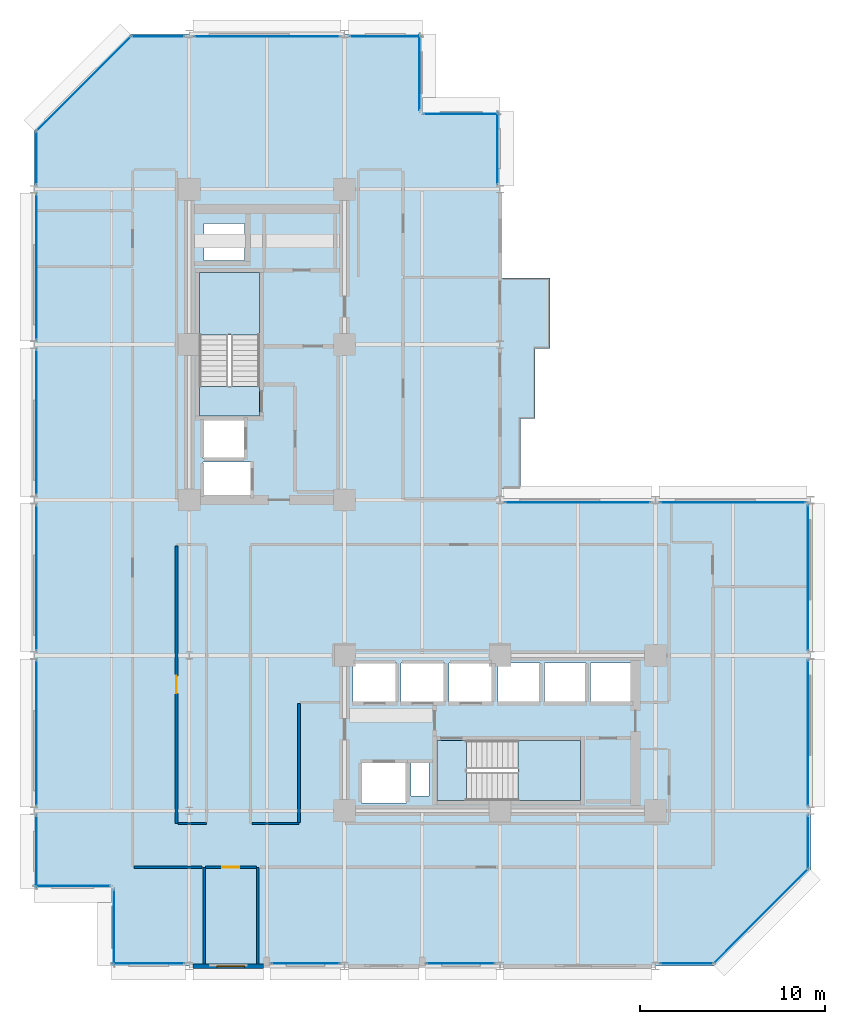
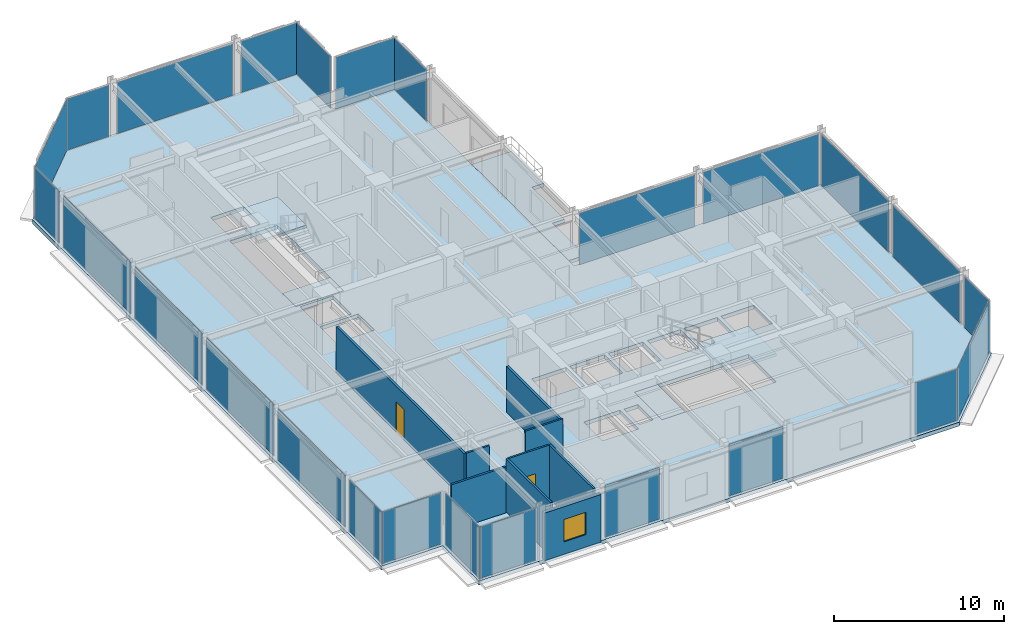
# One storey, part 23 of 30: 25 plates, 9 walls, 6 slabs, 2 doors, 1 window, 3 openings, 27 elements without a shape of their own.
"""IFC4 building model written with IfcOpenShell, lengths in metres."""

from ifc_helpers import new_model, si_unit, direction, frame, frame_2d, origin, origin_2d, place, context, subcontext, project, spatial, polyline, rectangle, outline, extrude, material, layer, layer_set, type_object, element, fill, aggregate, save


model = new_model("IFC4")

# Units and contexts
model_context = context("Model", 3, precision=1e-05, world=origin(), true_north=direction((0.0, 1.0)))
body_context = subcontext(model_context, "Body", "Model", "MODEL_VIEW")
ifc_project = project(units=[si_unit("LENGTHUNIT", "METRE"), si_unit("AREAUNIT", "SQUARE_METRE"), si_unit("VOLUMEUNIT", "CUBIC_METRE"), si_unit("PLANEANGLEUNIT", "RADIAN"), si_unit("MASSUNIT", "GRAM", prefix="KILO")], contexts=[model_context])

# Site, building, storey
site_placement = place(None, origin())
site = spatial("IfcSite", under=ifc_project, at=site_placement, CompositionType="ELEMENT")
building_placement = place(site_placement, origin())
building = spatial("IfcBuilding", under=site, at=building_placement, Name="Nerrivon Quay Data Exchange", CompositionType="ELEMENT")
storey_placement = place(building_placement, frame((0.0, 0.0, 154.10009765625)))
storey = spatial("IfcBuildingStorey", under=building, at=storey_placement, Name="L36", CompositionType="ELEMENT", Elevation=154.10009765625)

# Curtain wall, plate
ifc_material_1 = material(Name="Anodised aluminium 6063-T6", Category="aluminium")
ifc_layer_1 = layer(ifc_material_1, 0.2099609375)
ifc_layer_set_1 = layer_set([ifc_layer_1], Name="Anodised aluminium 6063-T6")
curtain_wall_type = type_object("IfcCurtainWallType", Name="CW-SYS-02", PredefinedType="NOTDEFINED", material=ifc_layer_set_1)
curtain_wall_1_placement = place(storey_placement, origin())
curtain_wall_1 = element("IfcCurtainWall", 1, at=curtain_wall_1_placement, inside=storey, type_object=curtain_wall_type, Name="L36 Unitised Curtain Wall 1", PredefinedType="NOTDEFINED")
ifc_material_2 = material(Name="Double-glazed low-E solar control glass", Category="glass")
ifc_layer_2 = layer(ifc_material_2, 0.028076171875)
ifc_layer_set_2 = layer_set([ifc_layer_2], Name="Double-glazed low-E solar control glass")
plate_type = type_object("IfcPlateType", Name="CWP-GLZ-28", PredefinedType="CURTAIN_PANEL", material=ifc_layer_set_2)
plate_1_placement = place(storey_placement, frame((39.301025390625, 2.698974609375, 0.06494140625), z_axis=(0.0, 0.0, 1.0), x_axis=(-0.707106781187, -0.707106781187, 0.0)))
plate_1 = element("IfcPlate", 2, at=plate_1_placement, type_object=plate_type, Name="CW02 panel 1.1", PredefinedType="CURTAIN_PANEL", context=body_context, shape_type="SweptSolid", body=[
    extrude(rectangle(XDim=7.203857421875, YDim=0.028076171875, at=origin_2d()), origin(), (0.0, 0.0, 1.0), 3.695068359375),
])
aggregate(curtain_wall_1, [plate_1])

curtain_wall_2_placement = place(storey_placement, origin())
curtain_wall_2 = element("IfcCurtainWall", 3, at=curtain_wall_2_placement, inside=storey, type_object=curtain_wall_type, Name="L36 Unitised Curtain Wall 2", PredefinedType="NOTDEFINED")
plate_2_placement = place(storey_placement, frame((35.300048828125, 0.139892578125, 0.06494140625), z_axis=(0.0, 0.0, 1.0), x_axis=(-1.0, 0.0, 0.0)))
plate_2 = element("IfcPlate", 4, at=plate_2_placement, type_object=plate_type, Name="CW02 panel 1.1", PredefinedType="CURTAIN_PANEL", context=body_context, shape_type="SweptSolid", body=[
    extrude(rectangle(XDim=2.85009765625, YDim=0.028076171875, at=origin_2d()), origin(), (0.0, 0.0, 1.0), 3.695068359375),
])
aggregate(curtain_wall_2, [plate_2])

curtain_wall_3_placement = place(storey_placement, origin())
curtain_wall_3 = element("IfcCurtainWall", 5, at=curtain_wall_3_placement, inside=storey, type_object=curtain_wall_type, Name="L36 Unitised Curtain Wall 4", PredefinedType="NOTDEFINED")
plate_3_placement = place(storey_placement, frame((23.08740234375, 0.139892578125, 0.06494140625), z_axis=(0.0, 0.0, 1.0), x_axis=(-1.0, 0.0, 0.0)))
plate_3 = element("IfcPlate", 6, at=plate_3_placement, type_object=plate_type, Name="CW02 panel 1.1", PredefinedType="CURTAIN_PANEL", context=body_context, shape_type="SweptSolid", body=[
    extrude(rectangle(XDim=3.675048828125, YDim=0.028076171875, at=origin_2d()), origin(), (0.0, 0.0, 1.0), 3.695068359375),
])
aggregate(curtain_wall_3, [plate_3])

curtain_wall_4_placement = place(storey_placement, origin())
curtain_wall_4 = element("IfcCurtainWall", 7, at=curtain_wall_4_placement, inside=storey, type_object=curtain_wall_type, Name="L36 Unitised Curtain Wall 6", PredefinedType="NOTDEFINED")
plate_4_placement = place(storey_placement, frame((14.6875, 0.139892578125, 0.06494140625), z_axis=(0.0, 0.0, 1.0), x_axis=(-1.0, 0.0, 0.0)))
plate_4 = element("IfcPlate", 8, at=plate_4_placement, type_object=plate_type, Name="CW02 panel 1.1", PredefinedType="CURTAIN_PANEL", context=body_context, shape_type="SweptSolid", body=[
    extrude(rectangle(XDim=3.675048828125, YDim=0.028076171875, at=origin_2d()), origin(), (0.0, 0.0, 1.0), 3.695068359375),
])
aggregate(curtain_wall_4, [plate_4])

curtain_wall_5_placement = place(storey_placement, origin())
curtain_wall_5 = element("IfcCurtainWall", 9, at=curtain_wall_5_placement, inside=storey, type_object=curtain_wall_type, Name="L36 Unitised Curtain Wall 8", PredefinedType="NOTDEFINED")
plate_5_placement = place(storey_placement, frame((6.199951171875, 0.139892578125, 0.06494140625), z_axis=(0.0, 0.0, 1.0), x_axis=(-1.0, 0.0, 0.0)))
plate_5 = element("IfcPlate", 10, at=plate_5_placement, type_object=plate_type, Name="CW02 panel 1.1", PredefinedType="CURTAIN_PANEL", context=body_context, shape_type="SweptSolid", body=[
    extrude(rectangle(XDim=3.85009765625, YDim=0.028076171875, at=origin_2d()), origin(), (0.0, 0.0, 1.0), 3.695068359375),
])
aggregate(curtain_wall_5, [plate_5])

curtain_wall_6_placement = place(storey_placement, origin())
curtain_wall_6 = element("IfcCurtainWall", 11, at=curtain_wall_6_placement, inside=storey, type_object=curtain_wall_type, Name="L36 Unitised Curtain Wall 9", PredefinedType="NOTDEFINED")
plate_6_placement = place(storey_placement, frame((4.340087890625, 2.10009765625, 0.06494140625), z_axis=(0.0, 0.0, 1.0), x_axis=(0.0, 1.0, 0.0)))
plate_6 = element("IfcPlate", 12, at=plate_6_placement, type_object=plate_type, Name="CW02 panel 1.1", PredefinedType="CURTAIN_PANEL", context=body_context, shape_type="SweptSolid", body=[
    extrude(rectangle(XDim=4.050048828125, YDim=0.028076171875, at=origin_2d()), origin(), (0.0, 0.0, 1.0), 3.695068359375),
])
aggregate(curtain_wall_6, [plate_6])

curtain_wall_7_placement = place(storey_placement, origin())
curtain_wall_7 = element("IfcCurtainWall", 13, at=curtain_wall_7_placement, inside=storey, type_object=curtain_wall_type, Name="L36 Unitised Curtain Wall 10", PredefinedType="NOTDEFINED")
plate_7_placement = place(storey_placement, frame((2.10009765625, 4.340087890625, 0.06494140625), z_axis=(0.0, 0.0, 1.0), x_axis=(-1.0, 0.0, 0.0)))
plate_7 = element("IfcPlate", 14, at=plate_7_placement, type_object=plate_type, Name="CW02 panel 1.1", PredefinedType="CURTAIN_PANEL", context=body_context, shape_type="SweptSolid", body=[
    extrude(rectangle(XDim=4.050048828125, YDim=0.028076171875, at=origin_2d()), origin(), (0.0, 0.0, 1.0), 3.695068359375),
])
aggregate(curtain_wall_7, [plate_7])

curtain_wall_8_placement = place(storey_placement, origin())
curtain_wall_8 = element("IfcCurtainWall", 15, at=curtain_wall_8_placement, inside=storey, type_object=curtain_wall_type, Name="L36 Unitised Curtain Wall 11", PredefinedType="NOTDEFINED")
plate_8_placement = place(storey_placement, frame((0.139892578125, 6.199951171875, 0.06494140625), z_axis=(0.0, 0.0, 1.0), x_axis=(0.0, 1.0, 0.0)))
plate_8 = element("IfcPlate", 16, at=plate_8_placement, type_object=plate_type, Name="CW02 panel 1.1", PredefinedType="CURTAIN_PANEL", context=body_context, shape_type="SweptSolid", body=[
    extrude(rectangle(XDim=3.85009765625, YDim=0.028076171875, at=origin_2d()), origin(), (0.0, 0.0, 1.0), 3.695068359375),
])
aggregate(curtain_wall_8, [plate_8])

curtain_wall_9_placement = place(storey_placement, origin())
curtain_wall_9 = element("IfcCurtainWall", 17, at=curtain_wall_9_placement, inside=storey, type_object=curtain_wall_type, Name="L36 Unitised Curtain Wall 12", PredefinedType="NOTDEFINED")
plate_9_placement = place(storey_placement, frame((0.139892578125, 12.60009765625, 0.06494140625), z_axis=(0.0, 0.0, 1.0), x_axis=(0.0, 1.0, 0.0)))
plate_9 = element("IfcPlate", 18, at=plate_9_placement, type_object=plate_type, Name="CW02 panel 1.1", PredefinedType="CURTAIN_PANEL", context=body_context, shape_type="SweptSolid", body=[
    extrude(rectangle(XDim=7.85009765625, YDim=0.028076171875, at=origin_2d()), origin(), (0.0, 0.0, 1.0), 3.695068359375),
])
aggregate(curtain_wall_9, [plate_9])

curtain_wall_10_placement = place(storey_placement, origin())
curtain_wall_10 = element("IfcCurtainWall", 19, at=curtain_wall_10_placement, inside=storey, type_object=curtain_wall_type, Name="L36 Unitised Curtain Wall 13", PredefinedType="NOTDEFINED")
plate_10_placement = place(storey_placement, frame((0.139892578125, 21.0, 0.06494140625), z_axis=(0.0, 0.0, 1.0), x_axis=(0.0, 1.0, 0.0)))
plate_10 = element("IfcPlate", 20, at=plate_10_placement, type_object=plate_type, Name="CW02 panel 1.1", PredefinedType="CURTAIN_PANEL", context=body_context, shape_type="SweptSolid", body=[
    extrude(rectangle(XDim=7.85009765625, YDim=0.028076171875, at=origin_2d()), origin(), (0.0, 0.0, 1.0), 3.695068359375),
])
aggregate(curtain_wall_10, [plate_10])

curtain_wall_11_placement = place(storey_placement, origin())
curtain_wall_11 = element("IfcCurtainWall", 21, at=curtain_wall_11_placement, inside=storey, type_object=curtain_wall_type, Name="L36 Unitised Curtain Wall 14", PredefinedType="NOTDEFINED")
plate_11_placement = place(storey_placement, frame((0.139892578125, 29.39990234375, 0.06494140625), z_axis=(0.0, 0.0, 1.0), x_axis=(0.0, 1.0, 0.0)))
plate_11 = element("IfcPlate", 22, at=plate_11_placement, type_object=plate_type, Name="CW02 panel 1.1", PredefinedType="CURTAIN_PANEL", context=body_context, shape_type="SweptSolid", body=[
    extrude(rectangle(XDim=7.85009765625, YDim=0.028076171875, at=origin_2d()), origin(), (0.0, 0.0, 1.0), 3.695068359375),
])
aggregate(curtain_wall_11, [plate_11])

curtain_wall_12_placement = place(storey_placement, origin())
curtain_wall_12 = element("IfcCurtainWall", 23, at=curtain_wall_12_placement, inside=storey, type_object=curtain_wall_type, Name="L36 Unitised Curtain Wall 15", PredefinedType="NOTDEFINED")
plate_12_placement = place(storey_placement, frame((0.139892578125, 37.800048828125, 0.06494140625), z_axis=(0.0, 0.0, 1.0), x_axis=(0.0, 1.0, 0.0)))
plate_12 = element("IfcPlate", 24, at=plate_12_placement, type_object=plate_type, Name="CW02 panel 1.1", PredefinedType="CURTAIN_PANEL", context=body_context, shape_type="SweptSolid", body=[
    extrude(rectangle(XDim=7.85009765625, YDim=0.028076171875, at=origin_2d()), origin(), (0.0, 0.0, 1.0), 3.695068359375),
])
aggregate(curtain_wall_12, [plate_12])

curtain_wall_13_placement = place(storey_placement, origin())
curtain_wall_13 = element("IfcCurtainWall", 25, at=curtain_wall_13_placement, inside=storey, type_object=curtain_wall_type, Name="L36 Unitised Curtain Wall 16", PredefinedType="NOTDEFINED")
plate_13_placement = place(storey_placement, frame((0.139892578125, 43.699951171875, 0.06494140625), z_axis=(0.0, 0.0, 1.0), x_axis=(0.0, 1.0, 0.0)))
plate_13 = element("IfcPlate", 26, at=plate_13_placement, type_object=plate_type, Name="CW02 panel 1.1", PredefinedType="CURTAIN_PANEL", context=body_context, shape_type="SweptSolid", body=[
    extrude(rectangle(XDim=2.85009765625, YDim=0.028076171875, at=origin_2d()), origin(), (0.0, 0.0, 1.0), 3.695068359375),
])
aggregate(curtain_wall_13, [plate_13])

curtain_wall_14_placement = place(storey_placement, origin())
curtain_wall_14 = element("IfcCurtainWall", 27, at=curtain_wall_14_placement, inside=storey, type_object=curtain_wall_type, Name="L36 Unitised Curtain Wall 17", PredefinedType="NOTDEFINED")
plate_14_placement = place(storey_placement, frame((2.698974609375, 47.700927734375, 0.06494140625), z_axis=(0.0, 0.0, 1.0), x_axis=(0.707106781187, 0.707106781187, 0.0)))
plate_14 = element("IfcPlate", 28, at=plate_14_placement, type_object=plate_type, Name="CW02 panel 1.1", PredefinedType="CURTAIN_PANEL", context=body_context, shape_type="SweptSolid", body=[
    extrude(rectangle(XDim=7.203857421875, YDim=0.028076171875, at=origin_2d()), origin(), (0.0, 0.0, 1.0), 3.695068359375),
])
aggregate(curtain_wall_14, [plate_14])

curtain_wall_15_placement = place(storey_placement, origin())
curtain_wall_15 = element("IfcCurtainWall", 29, at=curtain_wall_15_placement, inside=storey, type_object=curtain_wall_type, Name="L36 Unitised Curtain Wall 18", PredefinedType="NOTDEFINED")
plate_15_placement = place(storey_placement, frame((6.699951171875, 50.260009765625, 0.06494140625), z_axis=(0.0, 0.0, 1.0), x_axis=(1.0, 0.0, 0.0)))
plate_15 = element("IfcPlate", 30, at=plate_15_placement, type_object=plate_type, Name="CW02 panel 1.1", PredefinedType="CURTAIN_PANEL", context=body_context, shape_type="SweptSolid", body=[
    extrude(rectangle(XDim=2.85009765625, YDim=0.028076171875, at=origin_2d()), origin(), (0.0, 0.0, 1.0), 3.695068359375),
])
aggregate(curtain_wall_15, [plate_15])

curtain_wall_16_placement = place(storey_placement, origin())
curtain_wall_16 = element("IfcCurtainWall", 31, at=curtain_wall_16_placement, inside=storey, type_object=curtain_wall_type, Name="L36 Unitised Curtain Wall 19", PredefinedType="NOTDEFINED")
plate_16_placement = place(storey_placement, frame((12.60009765625, 50.260009765625, 0.06494140625), z_axis=(0.0, 0.0, 1.0), x_axis=(1.0, 0.0, 0.0)))
plate_16 = element("IfcPlate", 32, at=plate_16_placement, type_object=plate_type, Name="CW02 panel 1.1", PredefinedType="CURTAIN_PANEL", context=body_context, shape_type="SweptSolid", body=[
    extrude(rectangle(XDim=7.85009765625, YDim=0.028076171875, at=origin_2d()), origin(), (0.0, 0.0, 1.0), 3.695068359375),
])
aggregate(curtain_wall_16, [plate_16])

curtain_wall_17_placement = place(storey_placement, origin())
curtain_wall_17 = element("IfcCurtainWall", 33, at=curtain_wall_17_placement, inside=storey, type_object=curtain_wall_type, Name="L36 Unitised Curtain Wall 20", PredefinedType="NOTDEFINED")
plate_17_placement = place(storey_placement, frame((19.0, 50.260009765625, 0.06494140625), z_axis=(0.0, 0.0, 1.0), x_axis=(1.0, 0.0, 0.0)))
plate_17 = element("IfcPlate", 34, at=plate_17_placement, type_object=plate_type, Name="CW02 panel 1.1", PredefinedType="CURTAIN_PANEL", context=body_context, shape_type="SweptSolid", body=[
    extrude(rectangle(XDim=3.85009765625, YDim=0.028076171875, at=origin_2d()), origin(), (0.0, 0.0, 1.0), 3.695068359375),
])
aggregate(curtain_wall_17, [plate_17])

curtain_wall_18_placement = place(storey_placement, origin())
curtain_wall_18 = element("IfcCurtainWall", 35, at=curtain_wall_18_placement, inside=storey, type_object=curtain_wall_type, Name="L36 Unitised Curtain Wall 21", PredefinedType="NOTDEFINED")
plate_18_placement = place(storey_placement, frame((20.860107421875, 48.300048828125, 0.06494140625), z_axis=(0.0, 0.0, 1.0), x_axis=(0.0, -1.0, 0.0)))
plate_18 = element("IfcPlate", 36, at=plate_18_placement, type_object=plate_type, Name="CW02 panel 1.1", PredefinedType="CURTAIN_PANEL", context=body_context, shape_type="SweptSolid", body=[
    extrude(rectangle(XDim=4.050048828125, YDim=0.028076171875, at=origin_2d()), origin(), (0.0, 0.0, 1.0), 3.695068359375),
])
aggregate(curtain_wall_18, [plate_18])

curtain_wall_19_placement = place(storey_placement, origin())
curtain_wall_19 = element("IfcCurtainWall", 37, at=curtain_wall_19_placement, inside=storey, type_object=curtain_wall_type, Name="L36 Unitised Curtain Wall 22", PredefinedType="NOTDEFINED")
plate_19_placement = place(storey_placement, frame((23.10009765625, 46.06005859375, 0.06494140625), z_axis=(0.0, 0.0, 1.0), x_axis=(1.0, 0.0, 0.0)))
plate_19 = element("IfcPlate", 38, at=plate_19_placement, type_object=plate_type, Name="CW02 panel 1.1", PredefinedType="CURTAIN_PANEL", context=body_context, shape_type="SweptSolid", body=[
    extrude(rectangle(XDim=4.050048828125, YDim=0.028076171875, at=origin_2d()), origin(), (0.0, 0.0, 1.0), 3.695068359375),
])
aggregate(curtain_wall_19, [plate_19])

curtain_wall_20_placement = place(storey_placement, origin())
curtain_wall_20 = element("IfcCurtainWall", 39, at=curtain_wall_20_placement, inside=storey, type_object=curtain_wall_type, Name="L36 Unitised Curtain Wall 23", PredefinedType="NOTDEFINED")
plate_20_placement = place(storey_placement, frame((25.06005859375, 44.199951171875, 0.06494140625), z_axis=(0.0, 0.0, 1.0), x_axis=(0.0, -1.0, 0.0)))
plate_20 = element("IfcPlate", 40, at=plate_20_placement, type_object=plate_type, Name="CW02 panel 1.1", PredefinedType="CURTAIN_PANEL", context=body_context, shape_type="SweptSolid", body=[
    extrude(rectangle(XDim=3.85009765625, YDim=0.028076171875, at=origin_2d()), origin(), (0.0, 0.0, 1.0), 3.695068359375),
])
aggregate(curtain_wall_20, [plate_20])

curtain_wall_21_placement = place(storey_placement, origin())
curtain_wall_21 = element("IfcCurtainWall", 41, at=curtain_wall_21_placement, inside=storey, type_object=curtain_wall_type, Name="L36 Unitised Curtain Wall 26", PredefinedType="NOTDEFINED")
plate_21_placement = place(storey_placement, frame((29.39990234375, 25.06005859375, 0.06494140625), z_axis=(0.0, 0.0, 1.0), x_axis=(1.0, 0.0, 0.0)))
plate_21 = element("IfcPlate", 42, at=plate_21_placement, type_object=plate_type, Name="CW02 panel 1.1", PredefinedType="CURTAIN_PANEL", context=body_context, shape_type="SweptSolid", body=[
    extrude(rectangle(XDim=7.85009765625, YDim=0.028076171875, at=origin_2d()), origin(), (0.0, 0.0, 1.0), 3.695068359375),
])
aggregate(curtain_wall_21, [plate_21])

curtain_wall_22_placement = place(storey_placement, origin())
curtain_wall_22 = element("IfcCurtainWall", 43, at=curtain_wall_22_placement, inside=storey, type_object=curtain_wall_type, Name="L36 Unitised Curtain Wall 27", PredefinedType="NOTDEFINED")
plate_22_placement = place(storey_placement, frame((37.800048828125, 25.06005859375, 0.06494140625), z_axis=(0.0, 0.0, 1.0), x_axis=(1.0, 0.0, 0.0)))
plate_22 = element("IfcPlate", 44, at=plate_22_placement, type_object=plate_type, Name="CW02 panel 1.1", PredefinedType="CURTAIN_PANEL", context=body_context, shape_type="SweptSolid", body=[
    extrude(rectangle(XDim=7.85009765625, YDim=0.028076171875, at=origin_2d()), origin(), (0.0, 0.0, 1.0), 3.695068359375),
])
aggregate(curtain_wall_22, [plate_22])

curtain_wall_23_placement = place(storey_placement, origin())
curtain_wall_23 = element("IfcCurtainWall", 45, at=curtain_wall_23_placement, inside=storey, type_object=curtain_wall_type, Name="L36 Unitised Curtain Wall 28", PredefinedType="NOTDEFINED")
plate_23_placement = place(storey_placement, frame((41.860107421875, 21.0, 0.06494140625), z_axis=(0.0, 0.0, 1.0), x_axis=(0.0, -1.0, 0.0)))
plate_23 = element("IfcPlate", 46, at=plate_23_placement, type_object=plate_type, Name="CW02 panel 1.1", PredefinedType="CURTAIN_PANEL", context=body_context, shape_type="SweptSolid", body=[
    extrude(rectangle(XDim=7.85009765625, YDim=0.028076171875, at=origin_2d()), origin(), (0.0, 0.0, 1.0), 3.695068359375),
])
aggregate(curtain_wall_23, [plate_23])

curtain_wall_24_placement = place(storey_placement, origin())
curtain_wall_24 = element("IfcCurtainWall", 47, at=curtain_wall_24_placement, inside=storey, type_object=curtain_wall_type, Name="L36 Unitised Curtain Wall 29", PredefinedType="NOTDEFINED")
plate_24_placement = place(storey_placement, frame((41.860107421875, 12.60009765625, 0.06494140625), z_axis=(0.0, 0.0, 1.0), x_axis=(0.0, -1.0, 0.0)))
plate_24 = element("IfcPlate", 48, at=plate_24_placement, type_object=plate_type, Name="CW02 panel 1.1", PredefinedType="CURTAIN_PANEL", context=body_context, shape_type="SweptSolid", body=[
    extrude(rectangle(XDim=7.85009765625, YDim=0.028076171875, at=origin_2d()), origin(), (0.0, 0.0, 1.0), 3.695068359375),
])
aggregate(curtain_wall_24, [plate_24])

curtain_wall_25_placement = place(storey_placement, origin())
curtain_wall_25 = element("IfcCurtainWall", 49, at=curtain_wall_25_placement, inside=storey, type_object=curtain_wall_type, Name="L36 Unitised Curtain Wall 30", PredefinedType="NOTDEFINED")
plate_25_placement = place(storey_placement, frame((41.860107421875, 6.699951171875, 0.06494140625), z_axis=(0.0, 0.0, 1.0), x_axis=(0.0, -1.0, 0.0)))
plate_25 = element("IfcPlate", 50, at=plate_25_placement, type_object=plate_type, Name="CW02 panel 1.1", PredefinedType="CURTAIN_PANEL", context=body_context, shape_type="SweptSolid", body=[
    extrude(rectangle(XDim=2.85009765625, YDim=0.028076171875, at=origin_2d()), origin(), (0.0, 0.0, 1.0), 3.695068359375),
])
aggregate(curtain_wall_25, [plate_25])

# Slab
ifc_material_3 = material(Name="Precast white architectural concrete N50 (50 MPa)", Category="concrete")
ifc_layer_3 = layer(ifc_material_3, 0.25)
ifc_layer_set_3 = layer_set([ifc_layer_3], Name="Precast white architectural concrete N50 (50 MPa)")
slab_type_1 = type_object("IfcSlabType", Name="SLB-BAL-250", PredefinedType="FLOOR", material=ifc_layer_set_3)
slab_1_placement = place(storey_placement, frame((0.0, 0.0, -0.25)))
element("IfcSlab", 51, at=slab_1_placement, inside=storey, type_object=slab_type_1, Name="L36 Waterfront Subtropical Verandah", PredefinedType="FLOOR", context=body_context, shape_type="SweptSolid", body=[
    extrude(outline(polyline([(26.300048828125, 29.60009765625), (27.10009765625, 29.60009765625), (27.10009765625, 33.39990234375), (27.89990234375, 33.39990234375), (27.89990234375, 37.199951171875), (25.199951171875, 37.199951171875), (25.199951171875, 33.39990234375), (25.199951171875, 29.60009765625), (25.199951171875, 25.800048828125), (26.300048828125, 25.800048828125), (26.300048828125, 29.60009765625)])), origin(), (0.0, 0.0, 1.0), 0.25),
])

# Stair, slab
ifc_material_4 = material(Name="Concrete N50 (50 MPa)", Category="concrete")
stair_type = type_object("IfcStairType", Name="STAIR-DOG-41", PredefinedType="HALF_TURN_STAIR", material=ifc_material_4)
stair_1_placement = place(storey_placement, origin())
stair_1 = element("IfcStair", 52, at=stair_1_placement, inside=storey, type_object=stair_type, Name="L36 West Core Fire Stair ST01", PredefinedType="HALF_TURN_STAIR")
ifc_layer_4 = layer(ifc_material_4, 0.199951171875)
ifc_layer_set_4 = layer_set([ifc_layer_4], Name="Concrete N50 (50 MPa)")
slab_type_2 = type_object("IfcSlabType", Name="SLB-LAND-200", PredefinedType="LANDING", material=ifc_layer_set_4)
slab_2_placement = place(storey_placement, frame((0.0, 0.0, 1.849853515625)))
slab_2 = element("IfcSlab", 53, at=slab_2_placement, type_object=slab_type_2, Name="ST01 landing 1", PredefinedType="LANDING", context=body_context, shape_type="SweptSolid", body=[
    extrude(outline(polyline([(12.199951171875, 34.1298828125), (12.199951171875, 37.5), (8.949951171875, 37.5), (8.949951171875, 34.1298828125), (12.199951171875, 34.1298828125)])), origin(), (0.0, 0.0, 1.0), 0.199951171875),
])
aggregate(stair_1, [slab_2])

# Slab
slab_3_placement = place(storey_placement, frame((0.0, 0.0, -0.2001953125)))
element("IfcSlab", 54, at=slab_3_placement, inside=storey, type_object=slab_type_2, Name="L36 ST01 floor landing", PredefinedType="LANDING", context=body_context, shape_type="SweptSolid", body=[
    extrude(outline(polyline([(12.199951171875, 29.75), (12.199951171875, 31.330078125), (8.949951171875, 31.330078125), (8.949951171875, 29.75), (12.199951171875, 29.75)])), origin(), (0.0, 0.0, 1.0), 0.2001953125),
])

# Stair, slab
stair_2_placement = place(storey_placement, origin())
stair_2 = element("IfcStair", 55, at=stair_2_placement, inside=storey, type_object=stair_type, Name="L36 East Core Fire Stair ST02", PredefinedType="HALF_TURN_STAIR")
slab_4_placement = place(storey_placement, frame((0.0, 0.0, 1.849853515625)))
slab_4 = element("IfcSlab", 56, at=slab_4_placement, type_object=slab_type_2, Name="ST02 landing 1", PredefinedType="LANDING", context=body_context, shape_type="SweptSolid", body=[
    extrude(outline(polyline([(26.179931640625, 8.949951171875), (29.550048828125, 8.949951171875), (29.550048828125, 12.199951171875), (26.179931640625, 12.199951171875), (26.179931640625, 8.949951171875)])), origin(), (0.0, 0.0, 1.0), 0.199951171875),
])
aggregate(stair_2, [slab_4])

# Slabs
slab_5_placement = place(storey_placement, frame((0.0, 0.0, -0.2001953125)))
element("IfcSlab", 57, at=slab_5_placement, inside=storey, type_object=slab_type_2, Name="L36 ST02 floor landing", PredefinedType="LANDING", context=body_context, shape_type="SweptSolid", body=[
    extrude(outline(polyline([(21.800048828125, 8.949951171875), (23.3798828125, 8.949951171875), (23.3798828125, 12.199951171875), (21.800048828125, 12.199951171875), (21.800048828125, 8.949951171875)])), origin(), (0.0, 0.0, 1.0), 0.2001953125),
])
ifc_layer_5 = layer(ifc_material_4, 0.27490234375)
ifc_layer_set_5 = layer_set([ifc_layer_5], Name="Concrete N50 (50 MPa)")
slab_type_3 = type_object("IfcSlabType", Name="SLB-TOW-275", PredefinedType="FLOOR", material=ifc_layer_set_5)
slab_6_placement = place(storey_placement, frame((0.0, 0.0, -0.275146484375)))
element("IfcSlab", 58, at=slab_6_placement, inside=storey, type_object=slab_type_3, Name="L36 Primary Structural Slab", PredefinedType="FLOOR", context=body_context, shape_type="SweptSolid", body=[
    extrude(outline(polyline([(42.0, 25.199951171875), (25.199951171875, 25.199951171875), (25.199951171875, 46.199951171875), (21.0, 46.199951171875), (21.0, 50.39990234375), (5.199951171875, 50.39990234375), (0.0, 45.199951171875), (0.0, 4.199951171875), (4.199951171875, 4.199951171875), (4.199951171875, 0.0), (36.800048828125, 0.0), (42.0, 5.199951171875), (42.0, 25.199951171875)]), holes=[polyline([(8.949951171875, 29.75), (8.949951171875, 37.5), (12.199951171875, 37.5), (12.199951171875, 29.75), (8.949951171875, 29.75)]), polyline([(21.800048828125, 12.199951171875), (29.550048828125, 12.199951171875), (29.550048828125, 8.949951171875), (21.800048828125, 8.949951171875), (21.800048828125, 12.199951171875)]), polyline([(30.10009765625, 16.39990234375), (32.35009765625, 16.39990234375), (32.35009765625, 14.25), (30.10009765625, 14.25), (30.10009765625, 16.39990234375)]), polyline([(27.60009765625, 16.39990234375), (29.85009765625, 16.39990234375), (29.85009765625, 14.25), (27.60009765625, 14.25), (27.60009765625, 16.39990234375)]), polyline([(25.10009765625, 14.25), (25.10009765625, 16.39990234375), (27.35009765625, 16.39990234375), (27.35009765625, 14.25), (25.10009765625, 14.25)]), polyline([(22.449951171875, 16.39990234375), (24.800048828125, 16.39990234375), (24.800048828125, 14.25), (22.449951171875, 14.25), (22.449951171875, 16.39990234375)]), polyline([(19.85009765625, 16.39990234375), (22.199951171875, 16.39990234375), (22.199951171875, 14.25), (19.85009765625, 14.25), (19.85009765625, 16.39990234375)]), polyline([(20.39990234375, 9.199951171875), (20.39990234375, 11.0), (21.35009765625, 11.0), (21.35009765625, 9.199951171875), (20.39990234375, 9.199951171875)]), polyline([(17.699951171875, 8.830078125), (17.699951171875, 11.030029296875), (20.14990234375, 11.030029296875), (20.14990234375, 8.830078125), (17.699951171875, 8.830078125)]), polyline([(17.25, 14.25), (17.25, 16.39990234375), (19.60009765625, 16.39990234375), (19.60009765625, 14.25), (17.25, 14.25)]), polyline([(9.14990234375, 27.25), (11.75, 27.25), (11.75, 25.35009765625), (9.14990234375, 25.35009765625), (9.14990234375, 27.25)]), polyline([(9.14990234375, 29.60009765625), (11.39990234375, 29.60009765625), (11.39990234375, 27.449951171875), (9.14990234375, 27.449951171875), (9.14990234375, 29.60009765625)]), polyline([(9.199951171875, 38.14990234375), (9.199951171875, 40.14990234375), (11.39990234375, 40.14990234375), (11.39990234375, 38.14990234375), (9.199951171875, 38.14990234375)])]), origin(), (0.0, 0.0, 1.0), 0.275146484375),
])

# Wall, opening, window
ifc_material_5 = material(Name="Architectural terracotta precast concrete N50 (50 MPa)", Category="masonry")
ifc_layer_6 = layer(ifc_material_5, 0.239990234375)
ifc_layer_set_6 = layer_set([ifc_layer_6], Name="Architectural terracotta precast concrete N50 (50 MPa)")
wall_type_1 = type_object("IfcWallType", Name="EW-PREC-240", PredefinedType="STANDARD", material=ifc_layer_set_6)
wall_1_placement = place(storey_placement, frame((12.425048828125, 0.0, 0.0), z_axis=(0.0, 0.0, 1.0), x_axis=(-1.0, 0.0, 0.0)))
wall_1 = element("IfcWall", 59, at=wall_1_placement, inside=storey, type_object=wall_type_1, Name="L36 Podium Precast Spandrel Wall 7", PredefinedType="STANDARD", context=body_context, shape_type="SweptSolid", body=[
    extrude(rectangle(XDim=3.824951171875, YDim=0.239990234375, at=frame_2d((1.91259765625, 0.0))), origin(), (0.0, 0.0, 1.0), 3.421875),
])
opening_1_placement = place(wall_1_placement, frame((1.02490234375, 0.0, 0.89990234375)))
opening_1 = element("IfcOpeningElement", 60, at=opening_1_placement, cuts=wall_1, Name="Opening WN4", PredefinedType="OPENING", context=body_context, shape_type="SweptSolid", body=[
    extrude(rectangle(XDim=1.5, YDim=1.60009765625, at=frame_2d((0.75, 0.800048828125))), frame((0.0, 0.1298828125, 0.0), z_axis=(0.0, -1.0, 0.0), x_axis=(1.0, 0.0, 0.0)), (0.0, 0.0, 1.0), 0.260009765625),
])
window_type = type_object("IfcWindowType", Name="WIN-W4-1500x1600", PartitioningType="SINGLE_PANEL", PredefinedType="WINDOW", material=ifc_material_2)
window_placement = place(opening_1_placement, origin())
window = element("IfcWindow", 61, at=window_placement, inside=storey, type_object=window_type, Name="L36 Solar Facade Window 7", OverallHeight=1.60009765625, OverallWidth=1.5, PartitioningType="SINGLE_PANEL", PredefinedType="WINDOW", context=body_context, shape_type="SweptSolid", body=[
    extrude(rectangle(XDim=1.5, YDim=1.60009765625, at=frame_2d((0.75, 0.800048828125))), frame((0.0, 0.030029296875, 0.0), z_axis=(0.0, -1.0, 0.0), x_axis=(1.0, 0.0, 0.0)), (0.0, 0.0, 1.0), 0.06005859375),
])
fill(opening_1, window)

# Wall, opening, door
ifc_material_6 = material(Name="Gypsum plasterboard on cold-formed framing", Category="gypsum")
ifc_layer_7 = layer(ifc_material_6, 0.1201171875)
ifc_layer_set_7 = layer_set([ifc_layer_7], Name="Gypsum plasterboard on cold-formed framing")
wall_type_2 = type_object("IfcWallType", Name="WALL-PT-120", PredefinedType="PARTITIONING", material=ifc_layer_set_7)
wall_2_placement = place(storey_placement, frame((12.028564453125, 5.340087890625, 0.0), z_axis=(0.0, 0.0, 1.0), x_axis=(-1.0, 0.0, 0.0)))
wall_2 = element("IfcWall", 62, at=wall_2_placement, inside=storey, type_object=wall_type_2, Name="L36 Partition Public Washrooms", PredefinedType="PARTITIONING", context=body_context, shape_type="SweptSolid", body=[
    extrude(rectangle(XDim=2.757080078125, YDim=0.1201171875, at=frame_2d((1.37841796875, 0.0))), origin(), (0.0, 0.0, 1.0), 3.824951171875),
])
opening_2_placement = place(wall_2_placement, frame((0.91845703125, 0.0, 0.0)))
opening_2 = element("IfcOpeningElement", 63, at=opening_2_placement, cuts=wall_2, Name="Opening D-WC", PredefinedType="OPENING", context=body_context, shape_type="SweptSolid", body=[
    extrude(rectangle(XDim=0.919921875, YDim=2.10009765625, at=frame_2d((0.4599609375, 1.050048828125))), frame((0.0, 0.070068359375, 0.0), z_axis=(0.0, -1.0, 0.0), x_axis=(1.0, 0.0, 0.0)), (0.0, 0.0, 1.0), 0.14013671875),
])
ifc_material_7 = material(Name="Engineered hardwood timber", Category="wood")
door_type_1 = type_object("IfcDoorType", Name="DR-WC-920", OperationType="NOTDEFINED", PredefinedType="DOOR", material=ifc_material_7)
door_1_placement = place(opening_2_placement, origin())
door_1 = element("IfcDoor", 64, at=door_1_placement, inside=storey, type_object=door_type_1, Name="L36 Door Public Washrooms", OperationType="SINGLE_SWING_RIGHT", OverallHeight=2.10009765625, OverallWidth=0.919921875, PredefinedType="DOOR", context=body_context, shape_type="SweptSolid", body=[
    extrude(rectangle(XDim=0.919921875, YDim=2.10009765625, at=frame_2d((0.4599609375, 1.050048828125))), frame((0.0, 0.02490234375, 0.0), z_axis=(0.0, -1.0, 0.0), x_axis=(1.0, 0.0, 0.0)), (0.0, 0.0, 1.0), 0.050048828125),
])
fill(opening_2, door_1)

# Walls
wall_3_placement = place(storey_placement, frame((7.7890625, 7.7099609375, 0.0), z_axis=(0.0, 0.0, 1.0), x_axis=(1.0, 0.0, 0.0)))
element("IfcWall", 65, at=wall_3_placement, inside=storey, type_object=wall_type_2, Name="L36 Partition Client Conference Room 1", PredefinedType="PARTITIONING", context=body_context, shape_type="SweptSolid", body=[
    extrude(rectangle(XDim=1.551025390625, YDim=0.1201171875, at=frame_2d((0.775390625, 0.0))), origin(), (0.0, 0.0, 1.0), 3.296875),
])
wall_4_placement = place(storey_placement, frame((11.7890625, 7.7099609375, 0.0), z_axis=(0.0, 0.0, 1.0), x_axis=(1.0, 0.0, 0.0)))
element("IfcWall", 66, at=wall_4_placement, inside=storey, type_object=wall_type_2, Name="L36 Partition Peering Huddle Meeting Room", PredefinedType="PARTITIONING", context=body_context, shape_type="SweptSolid", body=[
    extrude(rectangle(XDim=2.551025390625, YDim=0.1201171875, at=frame_2d((1.275390625, 0.0))), origin(), (0.0, 0.0, 1.0), 3.468994140625),
])
ifc_layer_8 = layer(ifc_material_6, 0.135009765625)
ifc_layer_set_8 = layer_set([ifc_layer_8], Name="Gypsum plasterboard on cold-formed framing")
wall_type_3 = type_object("IfcWallType", Name="WALL-PT-135", PredefinedType="PARTITIONING", material=ifc_layer_set_8)
for number, where, z_axis, x_axis, name in (
    (67, (9.199951171875, 5.340087890625, 0.0), (0.0, 0.0, 1.0), (0.0, -1.0, 0.0), "L36 Partition Public Washrooms"),
    (68, (12.10009765625, 0.1240234375, 0.0), (0.0, 0.0, 1.0), (0.0, 1.0, 0.0), "L36 Partition Public Washrooms"),
):
    element("IfcWall", number, at=place(storey_placement, frame(where, z_axis=z_axis, x_axis=x_axis)), inside=storey, type_object=wall_type_3, Name=name, PredefinedType="PARTITIONING", context=body_context, shape_type="SweptSolid", body=[
        extrude(rectangle(XDim=5.216064453125, YDim=0.135009765625, at=frame_2d((2.60791015625, 0.0))), origin(), (0.0, 0.0, 1.0), 3.824951171875),
    ])
wall_5_placement = place(storey_placement, frame((9.080078125, 5.340087890625, 0.0), z_axis=(0.0, 0.0, 1.0), x_axis=(-1.0, 0.0, 0.0)))
element("IfcWall", 69, at=wall_5_placement, inside=storey, type_object=wall_type_3, Name="L36 Partition Technical Library", PredefinedType="PARTITIONING", context=body_context, shape_type="SweptSolid", body=[
    extrude(rectangle(XDim=3.68017578125, YDim=0.135009765625, at=frame_2d((1.840087890625, 0.0))), origin(), (0.0, 0.0, 1.0), 3.296875),
])

# Wall, opening, door
ifc_layer_9 = layer(ifc_material_6, 0.14990234375)
ifc_layer_set_9 = layer_set([ifc_layer_9], Name="Gypsum plasterboard on cold-formed framing")
wall_type_4 = type_object("IfcWallType", Name="WALL-PT-150", PredefinedType="PARTITIONING", material=ifc_layer_set_9)
wall_6_placement = place(storey_placement, frame((7.7099609375, 22.72607421875, 0.0), z_axis=(0.0, 0.0, 1.0), x_axis=(0.0, -1.0, 0.0)))
wall_6 = element("IfcWall", 70, at=wall_6_placement, inside=storey, type_object=wall_type_4, Name="L36 Partition Client Conference Room 1", PredefinedType="PARTITIONING", context=body_context, shape_type="SweptSolid", body=[
    extrude(rectangle(XDim=15.01611328125, YDim=0.14990234375, at=frame_2d((7.508056640625, 0.0))), origin(), (0.0, 0.0, 1.0), 3.2919921875),
])
opening_3_placement = place(wall_6_placement, frame((7.032958984375, 0.0, 0.0)))
opening_3 = element("IfcOpeningElement", 71, at=opening_3_placement, cuts=wall_6, Name="Opening D-01", PredefinedType="OPENING", context=body_context, shape_type="SweptSolid", body=[
    extrude(rectangle(XDim=0.949951171875, YDim=2.14990234375, at=frame_2d((0.47509765625, 1.074951171875))), frame((0.0, 0.0849609375, 0.0), z_axis=(0.0, -1.0, 0.0), x_axis=(1.0, 0.0, 0.0)), (0.0, 0.0, 1.0), 0.169921875),
])
door_type_2 = type_object("IfcDoorType", Name="DR-INT-950", OperationType="NOTDEFINED", PredefinedType="DOOR", material=ifc_material_7)
door_2_placement = place(opening_3_placement, origin())
door_2 = element("IfcDoor", 72, at=door_2_placement, inside=storey, type_object=door_type_2, Name="L36 Door Client Conference Room 1", OperationType="SINGLE_SWING_RIGHT", OverallHeight=2.14990234375, OverallWidth=0.949951171875, PredefinedType="DOOR", context=body_context, shape_type="SweptSolid", body=[
    extrude(rectangle(XDim=0.949951171875, YDim=2.14990234375, at=frame_2d((0.47509765625, 1.074951171875))), frame((0.0, 0.02490234375, 0.0), z_axis=(0.0, -1.0, 0.0), x_axis=(1.0, 0.0, 0.0)), (0.0, 0.0, 1.0), 0.050048828125),
])
fill(opening_3, door_2)

# Wall
wall_7_placement = place(storey_placement, frame((14.340087890625, 7.77392578125, 0.0), z_axis=(0.0, 0.0, 1.0), x_axis=(0.0, 1.0, 0.0)))
element("IfcWall", 73, at=wall_7_placement, inside=storey, type_object=wall_type_4, Name="L36 Partition Peering Huddle Meeting Room", PredefinedType="PARTITIONING", context=body_context, shape_type="SweptSolid", body=[
    extrude(rectangle(XDim=6.426025390625, YDim=0.14990234375, at=frame_2d((3.212890625, 0.0))), origin(), (0.0, 0.0, 1.0), 3.2919921875),
])

save(model, "model.ifc")
